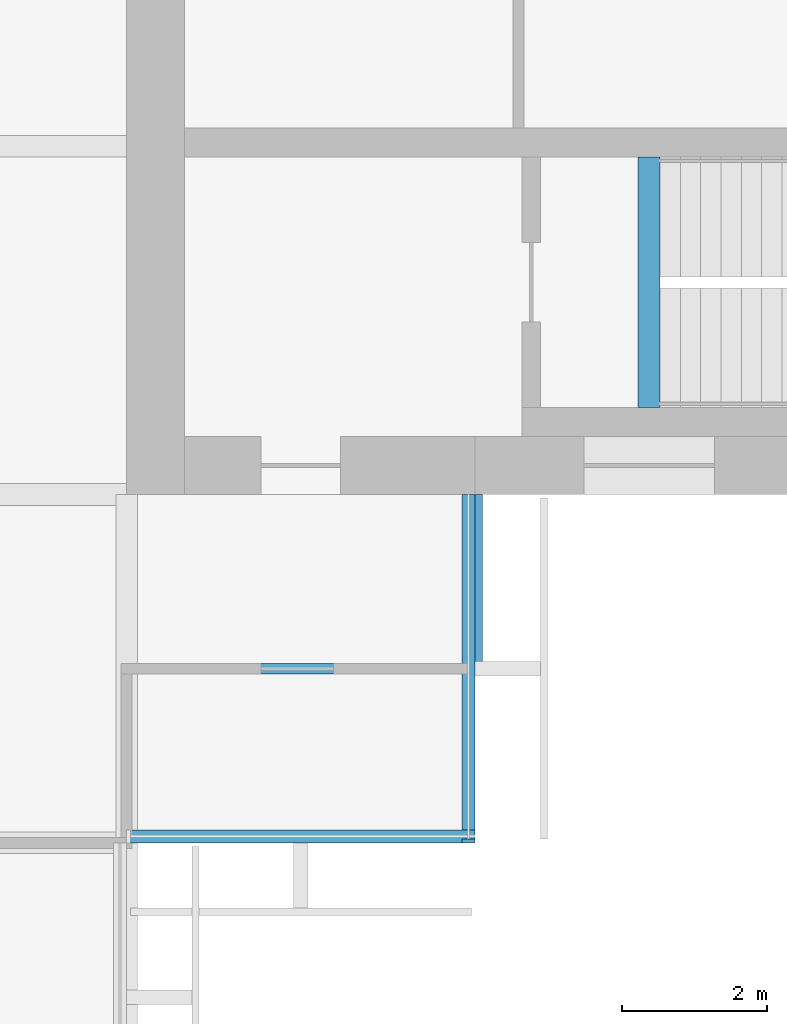
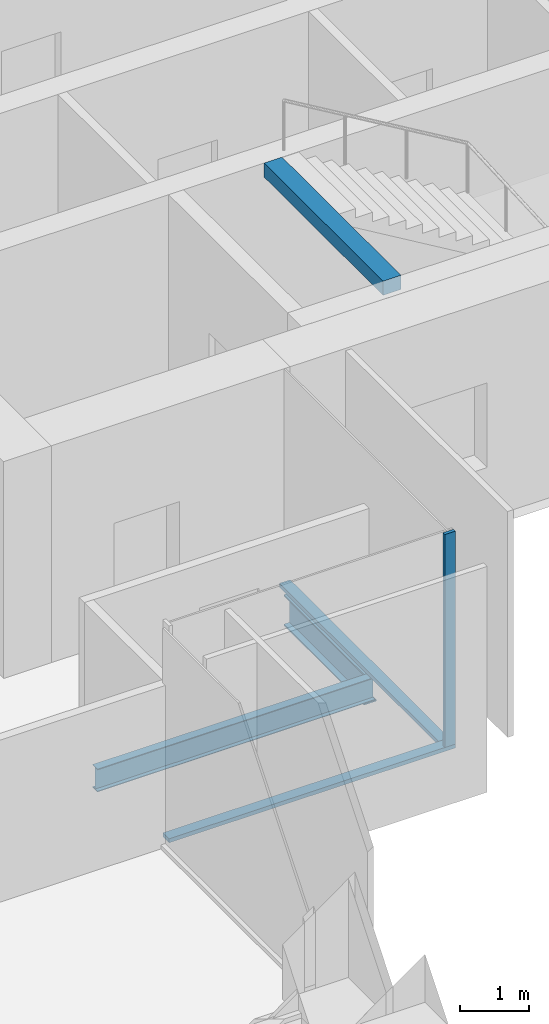
# One storey, part 4 of 13: 3 beams, 3 members, 2 elements without a shape of their own.
"""IFC4 building model written with IfcOpenShell, lengths in metres."""

from ifc_helpers import new_model, si_unit, direction, frame, origin, origin_2d, place, context, subcontext, project, spatial, rectangle, i_section, extrude, material, material_profile, profile_set, type_object, element, aggregate, save


model = new_model("IFC4")

# Units and contexts
model_context = context("Model", 3, precision=1e-05, world=origin(), true_north=direction((0.0, 1.0)))
body_context = subcontext(model_context, "Body", "Model", "MODEL_VIEW")
ifc_project = project(units=[si_unit("LENGTHUNIT", "METRE"), si_unit("AREAUNIT", "SQUARE_METRE"), si_unit("VOLUMEUNIT", "CUBIC_METRE"), si_unit("PLANEANGLEUNIT", "RADIAN"), si_unit("MASSUNIT", "GRAM", prefix="KILO")], contexts=[model_context])

# Site, building, storey
site_placement = place(None, origin())
site = spatial("IfcSite", under=ifc_project, at=site_placement, CompositionType="ELEMENT")
building_placement = place(site_placement, origin())
building = spatial("IfcBuilding", under=site, at=building_placement, Name="Baori Bourse Tower", CompositionType="ELEMENT")
storey_placement = place(building_placement, frame((0.0, 0.0, 249.199951171875)))
storey = spatial("IfcBuildingStorey", under=building, at=storey_placement, Name="L55", CompositionType="ELEMENT", Elevation=249.199951171875)

# Curtain wall, member
ifc_material_1 = material(Name="Pale anodised aluminium", Category="aluminium")
curtain_wall_type = type_object("IfcCurtainWallType", Name="CW2 Curtain wall", PredefinedType="NOTDEFINED", material=ifc_material_1)
curtain_wall_1_placement = place(storey_placement, origin())
curtain_wall_1 = element("IfcCurtainWall", 1, at=curtain_wall_1_placement, inside=storey, type_object=curtain_wall_type, Name="Curtain wall CW2 L55 14", PredefinedType="NOTDEFINED")
ifc_material_2 = material(Name="Pale anodised aluminium", Category="aluminium")
ifc_material_profile_1 = material_profile(ifc_material_2, rectangle(XDim=0.179931640625, YDim=0.054931640625, at=origin_2d()), Name="Mullion 55x180")
ifc_profile_set_1 = profile_set([ifc_material_profile_1], Name="Pale anodised aluminium")
member_type_1 = type_object("IfcMemberType", Name="CW2 Curtain wall mullion", PredefinedType="MULLION", material=ifc_profile_set_1)
member_1_placement = place(storey_placement, frame((43.110107421875, 4.827392578125, 0.070068359375), z_axis=(0.0, 0.0, 1.0), x_axis=(-1.0, 0.0, 0.0)))
member_1 = element("IfcMember", 2, at=member_1_placement, type_object=member_type_1, Name="Curtain wall CW2 mullion", PredefinedType="MULLION", context=body_context, shape_type="SweptSolid", body=[
    extrude(rectangle(XDim=0.179931640625, YDim=0.054931640625, at=origin_2d()), origin(), (0.0, 0.0, 1.0), 3.77001953125),
])

curtain_wall_2_placement = place(storey_placement, origin())
curtain_wall_2 = element("IfcCurtainWall", 3, at=curtain_wall_2_placement, inside=storey, type_object=curtain_wall_type, Name="Curtain wall CW2 L55 13", PredefinedType="NOTDEFINED")
ifc_material_3 = material(Name="Pale anodised aluminium", Category="aluminium")
ifc_material_profile_2 = material_profile(ifc_material_3, rectangle(XDim=0.179931640625, YDim=0.070068359375, at=origin_2d()), Name="Transom 70x180")
ifc_profile_set_2 = profile_set([ifc_material_profile_2], Name="Pale anodised aluminium")
member_type_2 = type_object("IfcMemberType", Name="CW2 Curtain wall transom", PredefinedType="USERDEFINED", material=ifc_profile_set_2)
member_2_placement = place(storey_placement, frame((38.39990234375, 4.889892578125, 0.03515625), z_axis=(1.0, 0.0, 0.0), x_axis=(0.0, 1.0, 0.0)))
member_2 = element("IfcMember", 4, at=member_2_placement, type_object=member_type_2, Name="Curtain wall CW2 sill rail", ObjectType="TRANSOM", PredefinedType="USERDEFINED", context=body_context, shape_type="SweptSolid", body=[
    extrude(rectangle(XDim=0.179931640625, YDim=0.070068359375, at=origin_2d()), origin(), (0.0, 0.0, 1.0), 4.800048828125),
])
aggregate(curtain_wall_2, [member_2])

# Member
member_3_placement = place(storey_placement, frame((43.110107421875, 4.800048828125, 0.03515625), z_axis=(0.0, 1.0, 0.0), x_axis=(-1.0, 0.0, 0.0)))
member_3 = element("IfcMember", 5, at=member_3_placement, type_object=member_type_2, Name="Curtain wall CW2 sill rail", ObjectType="TRANSOM", PredefinedType="USERDEFINED", context=body_context, shape_type="SweptSolid", body=[
    extrude(rectangle(XDim=0.179931640625, YDim=0.070068359375, at=origin_2d()), origin(), (0.0, 0.0, 1.0), 4.800048828125),
])

aggregate(curtain_wall_1, [member_3, member_1])

# Beams
ifc_material_4 = material(Name="Steel A992 Gr 50", Category="steel")
ifc_material_profile_3 = material_profile(ifc_material_4, i_section(OverallWidth=0.21240234375, OverallDepth=0.54345703125, WebThickness=0.01318359375, FlangeThickness=0.021240234375, at=origin_2d()), Name="W21x83")
ifc_profile_set_3 = profile_set([ifc_material_profile_3], Name="Steel A992 Gr 50")
beam_type_1 = type_object("IfcBeamType", Name="Core bracket W21x83", PredefinedType="BEAM", material=ifc_profile_set_3)
beam_1_placement = place(storey_placement, frame((43.199951171875, 7.270263671875, -0.431640625), z_axis=(0.0, 1.0, 0.0), x_axis=(-1.0, 0.0, 0.0)))
element("IfcBeam", 6, at=beam_1_placement, inside=storey, type_object=beam_type_1, Name="Core bracket L55", PredefinedType="BEAM", context=body_context, shape_type="SweptSolid", body=[
    extrude(i_section(OverallWidth=0.21240234375, OverallDepth=0.54345703125, WebThickness=0.01318359375, FlangeThickness=0.021240234375, at=origin_2d()), origin(), (0.0, 0.0, 1.0), 2.329833984375),
])
ifc_material_5 = material(Name="Concrete f'c 50 MPa", Category="concrete")
ifc_material_profile_4 = material_profile(ifc_material_5, rectangle(XDim=0.300048828125, YDim=0.25, at=origin_2d()), Name="RC 300x250")
ifc_profile_set_4 = profile_set([ifc_material_profile_4], Name="Concrete f'c 50 MPa")
beam_type_2 = type_object("IfcBeamType", Name="Stair nib beam RC 300x250", PredefinedType="BEAM", material=ifc_profile_set_4)
beam_2_placement = place(storey_placement, frame((45.60009765625, 10.800048828125, 3.715087890625), z_axis=(0.0, 1.0, 0.0), x_axis=(-1.0, 0.0, 0.0)))
element("IfcBeam", 7, at=beam_2_placement, inside=storey, type_object=beam_type_2, Name="Stair EA nib beam L56", PredefinedType="BEAM", context=body_context, shape_type="SweptSolid", body=[
    extrude(rectangle(XDim=0.300048828125, YDim=0.25, at=origin_2d()), origin(), (0.0, 0.0, 1.0), 3.449951171875),
])
ifc_material_6 = material(Name="Steel A992 Gr 50", Category="steel")
ifc_material_profile_5 = material_profile(ifc_material_6, i_section(OverallWidth=0.140380859375, OverallDepth=0.40380859375, WebThickness=0.007080078125, FlangeThickness=0.01123046875, at=origin_2d()), Name="W16x31")
ifc_profile_set_5 = profile_set([ifc_material_profile_5], Name="Steel A992 Gr 50")
beam_type_3 = type_object("IfcBeamType", Name="Trimmer beam W16x31", PredefinedType="BEAM", material=ifc_profile_set_5)
beam_3_placement = place(storey_placement, frame((38.546142578125, 7.199951171875, -0.36181640625), z_axis=(1.0, 0.0, 0.0), x_axis=(0.0, 1.0, 0.0)))
element("IfcBeam", 8, at=beam_3_placement, inside=storey, type_object=beam_type_3, Name="Trimmer beam L55", PredefinedType="BEAM", context=body_context, shape_type="SweptSolid", body=[
    extrude(i_section(OverallWidth=0.140380859375, OverallDepth=0.40380859375, WebThickness=0.007080078125, FlangeThickness=0.01123046875, at=origin_2d()), origin(), (0.0, 0.0, 1.0), 4.65380859375),
])

save(model, "model.ifc")
